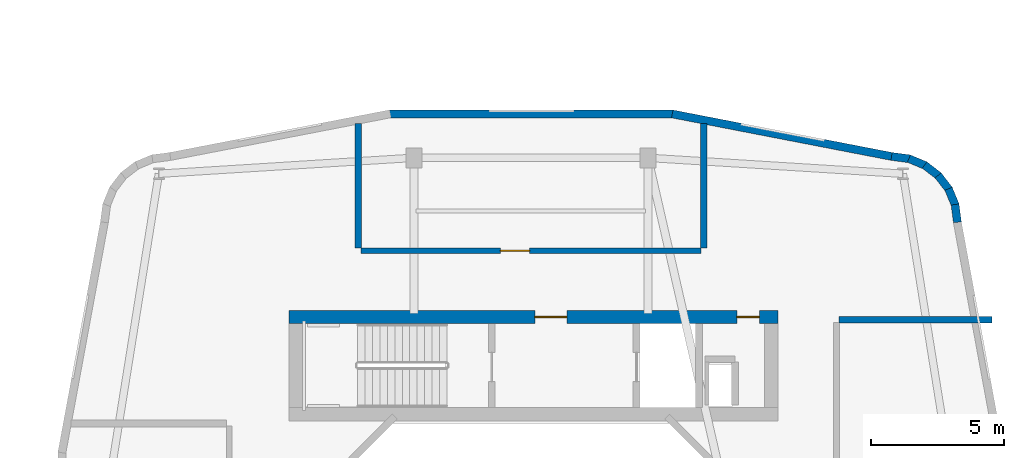
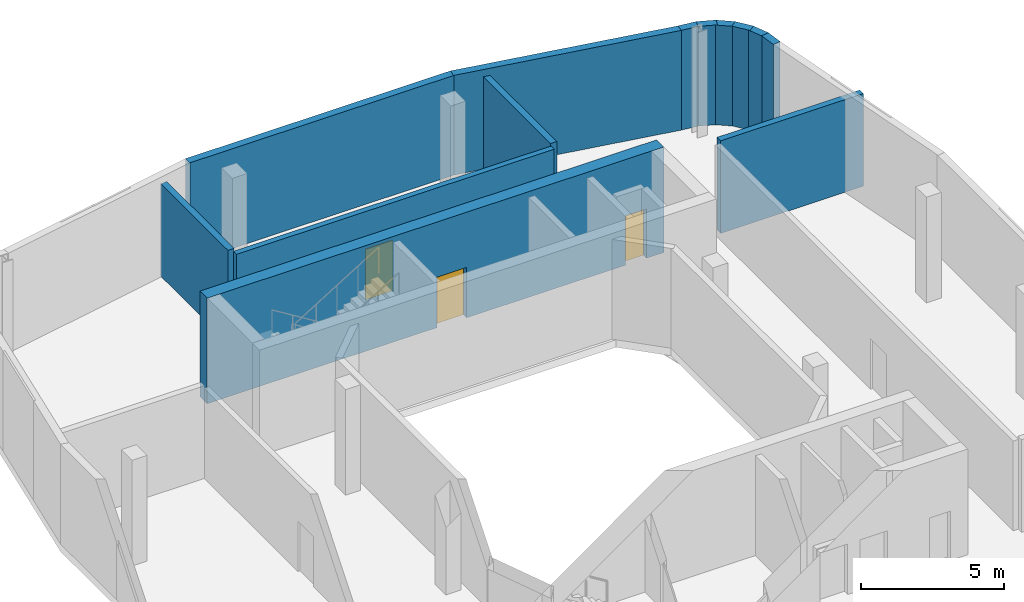
# One storey, part 11 of 18: 13 walls, 3 doors, 3 openings.
"""IFC4 building model written with IfcOpenShell, lengths in metres."""

from ifc_helpers import new_model, si_unit, derived_unit, direction, frame, frame_2d, origin, place, context, subcontext, project, spatial, rectangle, extrude, material, layer, layer_set, type_object, element, fill, save


model = new_model("IFC4")

# Units and contexts
model_context = context("Model", 3, precision=1e-05, world=origin(), true_north=direction((0.0, 1.0)))
body_context = subcontext(model_context, "Body", "Model", "MODEL_VIEW")
ifc_project = project(units=[si_unit("LENGTHUNIT", "METRE"), si_unit("AREAUNIT", "SQUARE_METRE"), si_unit("VOLUMEUNIT", "CUBIC_METRE"), si_unit("PLANEANGLEUNIT", "RADIAN"), si_unit("MASSUNIT", "GRAM", prefix="KILO"), derived_unit("THERMALTRANSMITTANCEUNIT", [(si_unit("POWERUNIT", "WATT"), 1), (si_unit("LENGTHUNIT", "METRE"), -2), (si_unit("THERMODYNAMICTEMPERATUREUNIT", "KELVIN"), -1)])], contexts=[model_context])

# Site, building, storey
site_placement = place(None, origin())
site = spatial("IfcSite", under=ifc_project, at=site_placement, CompositionType="ELEMENT")
building_placement = place(site_placement, origin())
building = spatial("IfcBuilding", under=site, at=building_placement, Name="Kivonza Crest Hotel", CompositionType="ELEMENT")
storey_placement = place(building_placement, frame((0.0, 0.0, 90.5)))
storey = spatial("IfcBuildingStorey", under=building, at=storey_placement, Name="L24", CompositionType="ELEMENT", Elevation=90.5)

# Wall, opening, door
ifc_material_1 = material(Name="Autoclaved aerated concrete blockwork", Category="masonry")
ifc_layer_1 = layer(ifc_material_1, 0.219970703125)
ifc_layer_set_1 = layer_set([ifc_layer_1], Name="Autoclaved aerated concrete blockwork")
wall_type_1 = type_object("IfcWallType", Name="WL-ACOU-220", PredefinedType="SOLIDWALL", material=ifc_layer_set_1)
wall_1_placement = place(storey_placement, frame((70.60009765625, 38.10009765625, 0.0), z_axis=(0.0, 0.0, 1.0), x_axis=(1.0, 0.0, 0.0)))
wall_1 = element("IfcWall", 1, at=wall_1_placement, inside=storey, type_object=wall_type_1, Name="L24 interior partition WA-L24-T2-REF-S", PredefinedType="SOLIDWALL", context=body_context, shape_type="SweptSolid", body=[
    extrude(rectangle(XDim=12.7998046875, YDim=0.219970703125, at=frame_2d((6.39990234375, 0.0))), origin(), (0.0, 0.0, 1.0), 3.824951171875),
])
opening_1_placement = place(wall_1_placement, frame((5.2548828125, 0.0, 0.0)))
opening_1 = element("IfcOpeningElement", 2, at=opening_1_placement, cuts=wall_1, Name="Opening DF-120", PredefinedType="OPENING", context=body_context, shape_type="SweptSolid", body=[
    extrude(rectangle(XDim=1.10009765625, YDim=2.14990234375, at=frame_2d((0.550048828125, 1.074951171875))), frame((0.0, 0.1201171875, 0.0), z_axis=(0.0, -1.0, 0.0), x_axis=(1.0, 0.0, 0.0)), (0.0, 0.0, 1.0), 0.239990234375),
])
ifc_material_2 = material(Name="Galvanised steel", Category="steel")
door_type_1 = type_object("IfcDoorType", Name="DR-FD120-1100", OperationType="NOTDEFINED", PredefinedType="DOOR", material=ifc_material_2)
door_1_placement = place(opening_1_placement, origin())
door_1 = element("IfcDoor", 3, at=door_1_placement, inside=storey, type_object=door_type_1, Name="L24 Companion Protected Refuge Area door", OperationType="SINGLE_SWING_LEFT", OverallHeight=2.14990234375, OverallWidth=1.10009765625, PredefinedType="DOOR", context=body_context, shape_type="SweptSolid", body=[
    extrude(rectangle(XDim=1.10009765625, YDim=2.14990234375, at=frame_2d((0.550048828125, 1.074951171875))), frame((0.0, 0.02490234375, 0.0), z_axis=(0.0, -1.0, 0.0), x_axis=(1.0, 0.0, 0.0)), (0.0, 0.0, 1.0), 0.050048828125),
])
fill(opening_1, door_1)

# Wall, openings, doors
ifc_material_3 = material(Name="Concrete C60/75", Category="concrete")
ifc_layer_2 = layer(ifc_material_3, 0.5)
ifc_layer_set_2 = layer_set([ifc_layer_2], Name="Concrete C60/75")
wall_type_2 = type_object("IfcWallType", Name="WL-CORE-500", PredefinedType="SHEAR", material=ifc_layer_set_2)
wall_2_placement = place(storey_placement, frame((67.89990234375, 35.610107421875, 0.0), z_axis=(0.0, 0.0, 1.0), x_axis=(1.0, 0.0, 0.0)))
wall_2 = element("IfcWall", 4, at=wall_2_placement, inside=storey, type_object=wall_type_2, Name="Core wall T2-N North L24", PredefinedType="SHEAR", context=body_context, shape_type="SweptSolid", body=[
    extrude(rectangle(XDim=18.400146484375, YDim=0.5, at=frame_2d((9.2001953125, 0.0))), origin(), (0.0, 0.0, 1.0), 4.5),
])
opening_2_placement = place(wall_2_placement, frame((9.25, 0.0, 0.0)))
opening_2 = element("IfcOpeningElement", 5, at=opening_2_placement, cuts=wall_2, Name="Opening DF-60", PredefinedType="OPENING", context=body_context, shape_type="SweptSolid", body=[
    extrude(rectangle(XDim=1.199951171875, YDim=2.14990234375, at=frame_2d((0.60009765625, 1.074951171875))), frame((0.0, 0.260009765625, 0.0), z_axis=(0.0, -1.0, 0.0), x_axis=(1.0, 0.0, 0.0)), (0.0, 0.0, 1.0), 0.52001953125),
])
opening_3_placement = place(wall_2_placement, frame((16.85009765625, 0.0, 0.0)))
opening_3 = element("IfcOpeningElement", 6, at=opening_3_placement, cuts=wall_2, Name="Opening DF-60R", PredefinedType="OPENING", context=body_context, shape_type="SweptSolid", body=[
    extrude(rectangle(XDim=0.85009765625, YDim=2.10009765625, at=frame_2d((0.425048828125, 1.050048828125))), frame((0.0, 0.260009765625, 0.0), z_axis=(0.0, -1.0, 0.0), x_axis=(1.0, 0.0, 0.0)), (0.0, 0.0, 1.0), 0.52001953125),
])
ifc_material_4 = material(Name="Hardwood timber oak", Category="wood")
door_type_2 = type_object("IfcDoorType", Name="DR-FD60-1200", OperationType="NOTDEFINED", PredefinedType="DOOR", material=ifc_material_4)
door_2_placement = place(opening_2_placement, origin())
door_2 = element("IfcDoor", 7, at=door_2_placement, inside=storey, type_object=door_type_2, Name="L24 T2-N firefighting lobby fire door", OperationType="SINGLE_SWING_RIGHT", OverallHeight=2.14990234375, OverallWidth=1.199951171875, PredefinedType="DOOR", context=body_context, shape_type="SweptSolid", body=[
    extrude(rectangle(XDim=1.199951171875, YDim=2.14990234375, at=frame_2d((0.60009765625, 1.074951171875))), frame((0.0, 0.02490234375, 0.0), z_axis=(0.0, -1.0, 0.0), x_axis=(1.0, 0.0, 0.0)), (0.0, 0.0, 1.0), 0.050048828125),
])
fill(opening_2, door_2)
door_type_3 = type_object("IfcDoorType", Name="DR-FD60-850", OperationType="NOTDEFINED", PredefinedType="DOOR", material=ifc_material_4)
door_3_placement = place(opening_3_placement, origin())
door_3 = element("IfcDoor", 8, at=door_3_placement, inside=storey, type_object=door_type_3, Name="L24 T2-N core room door", OperationType="SINGLE_SWING_RIGHT", OverallHeight=2.10009765625, OverallWidth=0.85009765625, PredefinedType="DOOR", context=body_context, shape_type="SweptSolid", body=[
    extrude(rectangle(XDim=0.85009765625, YDim=2.10009765625, at=frame_2d((0.425048828125, 1.050048828125))), frame((0.0, 0.02490234375, 0.0), z_axis=(0.0, -1.0, 0.0), x_axis=(1.0, 0.0, 0.0)), (0.0, 0.0, 1.0), 0.050048828125),
])
fill(opening_3, door_3)

# Walls
ifc_material_5 = material(Name="Precast concrete C40/50", Category="concrete")
ifc_layer_3 = layer(ifc_material_5, 0.300048828125)
ifc_layer_set_3 = layer_set([ifc_layer_3], Name="Precast concrete C40/50")
wall_type_3 = type_object("IfcWallType", Name="WL-EXT-300", PredefinedType="STANDARD", material=ifc_layer_set_3)
wall_3_placement = place(storey_placement, frame((93.052001953125, 39.172119140625, 0.0), z_axis=(0.0, 0.0, 1.0), x_axis=(-0.131667498923, 0.991293937098, 0.0)))
element("IfcWall", 9, at=wall_3_placement, inside=storey, type_object=wall_type_3, Name="L24 T2 exterior insulated wall 19", PredefinedType="STANDARD", context=body_context, shape_type="SweptSolid", body=[
    extrude(rectangle(XDim=0.6767578125, YDim=0.300048828125, at=frame_2d((0.33837890625, 0.0))), origin(), (0.0, 0.0, 1.0), 4.25),
])
wall_4_placement = place(storey_placement, frame((92.98193359375, 39.79296875, 0.0), z_axis=(0.0, 0.0, 1.0), x_axis=(-0.381864727877, 0.92421822618, 0.0)))
element("IfcWall", 10, at=wall_4_placement, inside=storey, type_object=wall_type_3, Name="L24 T2 exterior insulated wall 20", PredefinedType="STANDARD", context=body_context, shape_type="SweptSolid", body=[
    extrude(rectangle(XDim=0.693603515625, YDim=0.300048828125, at=frame_2d((0.3466796875, 0.0))), origin(), (0.0, 0.0, 1.0), 4.25),
])
for number, where, z_axis, x_axis, name in (
    (11, (92.748046875, 40.388916015625, 0.0), (0.0, 0.0, 1.0), (-0.609693758543, 0.792637067512, 0.0), "L24 T2 exterior insulated wall 21"),
    (12, (92.366943359375, 40.904052734375, 0.0), (0.0, 0.0, 1.0), (-0.792807092876, 0.609472651958, 0.0), "L24 T2 exterior insulated wall 22"),
):
    element("IfcWall", number, at=place(storey_placement, frame(where, z_axis=z_axis, x_axis=x_axis)), inside=storey, type_object=wall_type_3, Name=name, PredefinedType="STANDARD", context=body_context, shape_type="SweptSolid", body=[
        extrude(rectangle(XDim=0.69384765625, YDim=0.300048828125, at=frame_2d((0.346923828125, 0.0))), origin(), (0.0, 0.0, 1.0), 4.25),
    ])
wall_5_placement = place(storey_placement, frame((91.865966796875, 41.302978515625, 0.0), z_axis=(0.0, 0.0, 1.0), x_axis=(-0.924042561464, 0.382289608286, 0.0)))
element("IfcWall", 13, at=wall_5_placement, inside=storey, type_object=wall_type_3, Name="L24 T2 exterior insulated wall 23", PredefinedType="STANDARD", context=body_context, shape_type="SweptSolid", body=[
    extrude(rectangle(XDim=0.693603515625, YDim=0.300048828125, at=frame_2d((0.3466796875, 0.0))), origin(), (0.0, 0.0, 1.0), 4.25),
])
wall_6_placement = place(storey_placement, frame((91.278076171875, 41.55908203125, 0.0), z_axis=(0.0, 0.0, 1.0), x_axis=(-0.991433279471, 0.130614135366, 0.0)))
element("IfcWall", 14, at=wall_6_placement, inside=storey, type_object=wall_type_3, Name="L24 T2 exterior insulated wall 24", PredefinedType="STANDARD", context=body_context, shape_type="SweptSolid", body=[
    extrude(rectangle(XDim=0.712158203125, YDim=0.300048828125, at=frame_2d((0.35595703125, 0.0))), origin(), (0.0, 0.0, 1.0), 4.25),
])
wall_7_placement = place(storey_placement, frame((90.5791015625, 41.65087890625, 0.0), z_axis=(0.0, 0.0, 1.0), x_axis=(-0.98174070399, 0.190224052445, 0.0)))
element("IfcWall", 15, at=wall_7_placement, inside=storey, type_object=wall_type_3, Name="L24 T2 exterior insulated wall 25", PredefinedType="STANDARD", context=body_context, shape_type="SweptSolid", body=[
    extrude(rectangle(XDim=8.41162109375, YDim=0.300048828125, at=frame_2d((4.205810546875, 0.0))), origin(), (0.0, 0.0, 1.0), 4.25),
])
wall_8_placement = place(storey_placement, frame((82.364990234375, 43.25, 0.0), z_axis=(0.0, 0.0, 1.0), x_axis=(-1.0, 0.0, 0.0)))
element("IfcWall", 16, at=wall_8_placement, inside=storey, type_object=wall_type_3, Name="L24 T2 exterior insulated wall 26", PredefinedType="STANDARD", context=body_context, shape_type="SweptSolid", body=[
    extrude(rectangle(XDim=10.695068359375, YDim=0.300048828125, at=frame_2d((5.34765625, 0.0))), origin(), (0.0, 0.0, 1.0), 4.25),
])
ifc_material_6 = material(Name="Concrete blockwork fire-compartment wall", Category="masonry")
ifc_layer_4 = layer(ifc_material_6, 0.25)
ifc_layer_set_4 = layer_set([ifc_layer_4], Name="Concrete blockwork fire-compartment wall")
wall_type_4 = type_object("IfcWallType", Name="WL-FIRE-250", PredefinedType="SOLIDWALL", material=ifc_layer_set_4)
for number, where, z_axis, x_axis, name in (
    (17, (70.5, 38.199951171875, 0.0), (0.0, 0.0, 1.0), (0.0, 1.0, 0.0), "L24 interior partition WP-L24-T2-REF-BW"),
    (18, (83.5, 38.199951171875, 0.0), (0.0, 0.0, 1.0), (0.0, 1.0, 0.0), "L24 interior partition WP-L24-T2-REF-BE"),
):
    element("IfcWall", number, at=place(storey_placement, frame(where, z_axis=z_axis, x_axis=x_axis)), inside=storey, type_object=wall_type_4, Name=name, PredefinedType="SOLIDWALL", context=body_context, shape_type="SweptSolid", body=[
        extrude(rectangle(XDim=4.699951171875, YDim=0.25, at=frame_2d((2.35009765625, 0.0))), origin(), (0.0, 0.0, 1.0), 3.945068359375),
    ])
wall_9_placement = place(storey_placement, frame((88.60009765625, 35.5, 0.0), z_axis=(0.0, 0.0, 1.0), x_axis=(1.0, 0.0, 0.0)))
element("IfcWall", 19, at=wall_9_placement, inside=storey, type_object=wall_type_4, Name="L24 interior partition WP-L24-T2-PMP-BN", PredefinedType="SOLIDWALL", context=body_context, shape_type="SweptSolid", body=[
    extrude(rectangle(XDim=5.75, YDim=0.25, at=frame_2d((2.875, 0.0))), origin(), (0.0, 0.0, 1.0), 3.945068359375),
])

save(model, "model.ifc")
